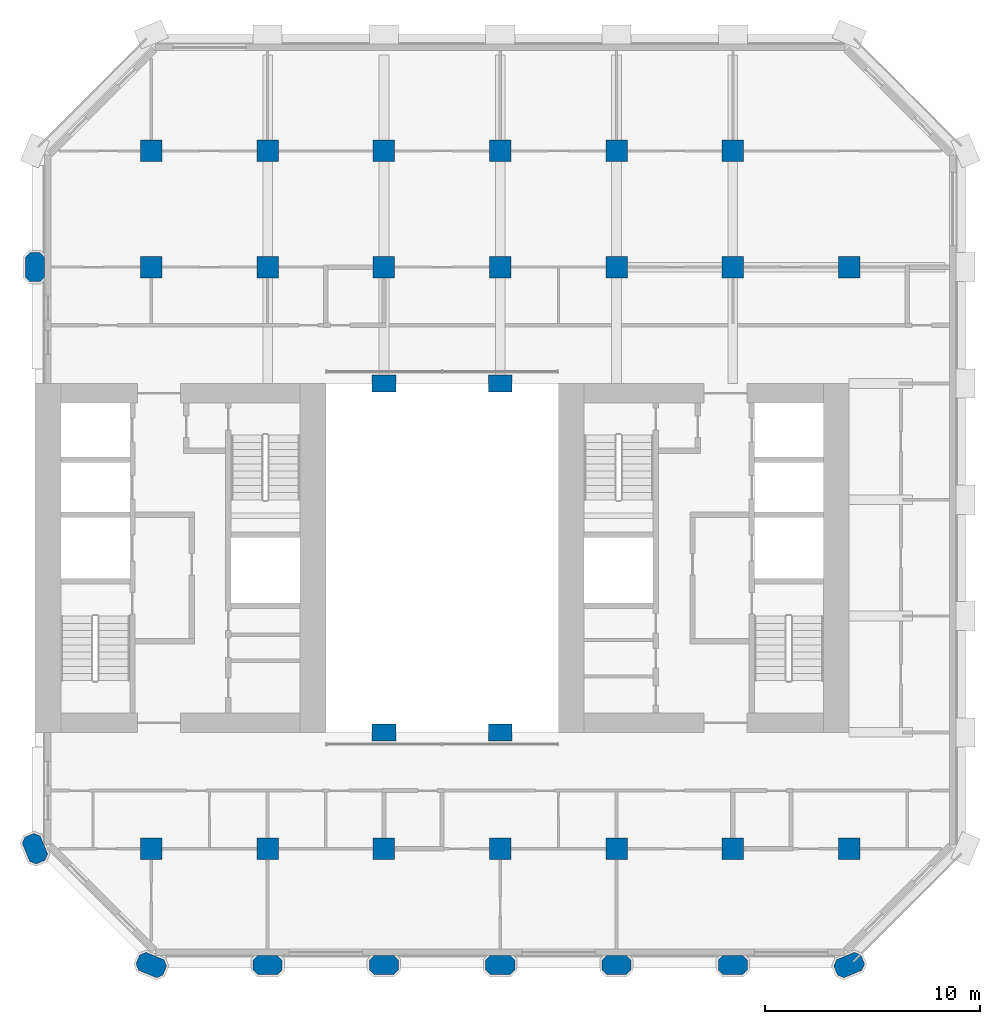
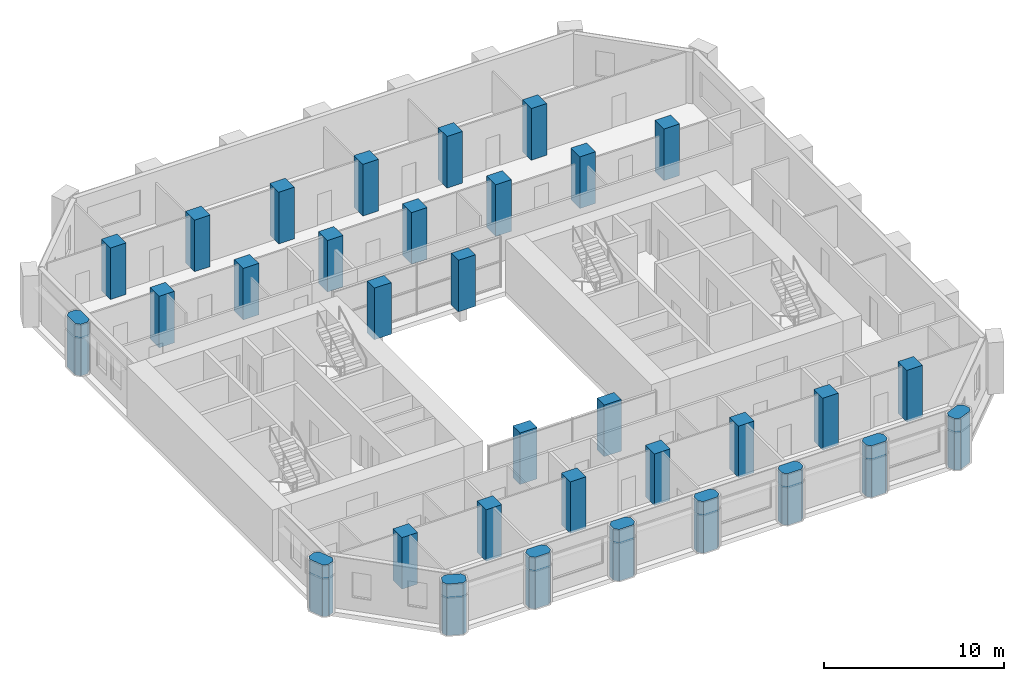
# One storey, part 1 of 10: 33 columns.
"""IFC4 building model written with IfcOpenShell, lengths in metres."""

from ifc_helpers import new_model, si_unit, direction, frame, origin, origin_2d, place, context, subcontext, project, spatial, polyline, rectangle, outline, extrude, material, material_profile, profile_set, type_object, element, save


model = new_model("IFC4")

# Units and contexts
model_context = context("Model", 3, precision=1e-05, world=origin(), true_north=direction((0.0, 1.0)))
body_context = subcontext(model_context, "Body", "Model", "MODEL_VIEW")
ifc_project = project(units=[si_unit("LENGTHUNIT", "METRE"), si_unit("AREAUNIT", "SQUARE_METRE"), si_unit("VOLUMEUNIT", "CUBIC_METRE"), si_unit("PLANEANGLEUNIT", "RADIAN"), si_unit("MASSUNIT", "GRAM", prefix="KILO")], contexts=[model_context])

# Site, building, storey
site_placement = place(None, origin())
site = spatial("IfcSite", under=ifc_project, at=site_placement, CompositionType="ELEMENT")
building_placement = place(site_placement, origin())
building = spatial("IfcBuilding", under=site, at=building_placement, Name="Tabaq Tower and Sports Hall", CompositionType="ELEMENT")
storey_placement = place(building_placement, frame((0.0, 0.0, 68.800048828125)))
storey = spatial("IfcBuildingStorey", under=building, at=storey_placement, Name="L15", CompositionType="ELEMENT", Elevation=68.800048828125)

# Columns
ifc_material_1 = material(Name="Concrete C60/75", Category="concrete")
ifc_material_profile_1 = material_profile(ifc_material_1, rectangle(XDim=1.10009765625, YDim=0.800048828125, at=origin_2d()), Name="ATRIUM COLUMN 1100x800")
ifc_profile_set_1 = profile_set([ifc_material_profile_1], Name="Concrete C60/75")
column_type_1 = type_object("IfcColumnType", Name="RC COLUMN ATRIUM COLUMN 1100x800 C60/75", PredefinedType="COLUMN", material=ifc_profile_set_1)
for number, where, z_axis, x_axis, name in (
    (1, (21.60009765625, 16.199951171875, 0.0), (0.0, 0.0, 1.0), (1.0, 0.0, 0.0), "Atrium Column 5/D L15"),
    (2, (27.0, 16.199951171875, 0.0), (0.0, 0.0, 1.0), (1.0, 0.0, 0.0), "Atrium Column 6/D L15"),
    (3, (21.60009765625, 32.39990234375, 0.0), (0.0, 0.0, 1.0), (1.0, 0.0, 0.0), "Atrium Column 5/G L15"),
    (4, (27.0, 32.39990234375, 0.0), (0.0, 0.0, 1.0), (1.0, 0.0, 0.0), "Atrium Column 6/G L15"),
):
    element("IfcColumn", number, at=place(storey_placement, frame(where, z_axis=z_axis, x_axis=x_axis)), inside=storey, type_object=column_type_1, Name=name, PredefinedType="COLUMN", context=body_context, shape_type="SweptSolid", body=[
        extrude(rectangle(XDim=1.10009765625, YDim=0.800048828125, at=origin_2d()), origin(), (0.0, 0.0, 1.0), 3.5),
    ])
ifc_material_2 = material(Name="Concrete C60/75", Category="concrete")
ifc_material_profile_2 = material_profile(ifc_material_2, rectangle(XDim=1.0, YDim=1.0, at=origin_2d()), Name="COLUMN 1000x1000")
ifc_profile_set_2 = profile_set([ifc_material_profile_2], Name="Concrete C60/75")
column_type_2 = type_object("IfcColumnType", Name="RC COLUMN COLUMN 1000x1000 C60/75", PredefinedType="COLUMN", material=ifc_profile_set_2)
for number, where, z_axis, x_axis, name in (
    (5, (10.800048828125, 10.800048828125, 0.0), (0.0, 0.0, 1.0), (1.0, 0.0, 0.0), "Column 3/C L15"),
    (6, (16.199951171875, 10.800048828125, 0.0), (0.0, 0.0, 1.0), (1.0, 0.0, 0.0), "Column 4/C L15"),
    (7, (21.60009765625, 10.800048828125, 0.0), (0.0, 0.0, 1.0), (1.0, 0.0, 0.0), "Column 5/C L15"),
    (8, (27.0, 10.800048828125, 0.0), (0.0, 0.0, 1.0), (1.0, 0.0, 0.0), "Column 6/C L15"),
    (9, (32.39990234375, 10.800048828125, 0.0), (0.0, 0.0, 1.0), (1.0, 0.0, 0.0), "Column 7/C L15"),
    (10, (37.800048828125, 10.800048828125, 0.0), (0.0, 0.0, 1.0), (1.0, 0.0, 0.0), "Column 8/C L15"),
    (11, (43.199951171875, 10.800048828125, 0.0), (0.0, 0.0, 1.0), (1.0, 0.0, 0.0), "Column 9/C L15"),
    (12, (10.800048828125, 37.800048828125, 0.0), (0.0, 0.0, 1.0), (1.0, 0.0, 0.0), "Column 3/H L15"),
    (13, (16.199951171875, 37.800048828125, 0.0), (0.0, 0.0, 1.0), (1.0, 0.0, 0.0), "Column 4/H L15"),
    (14, (21.60009765625, 37.800048828125, 0.0), (0.0, 0.0, 1.0), (1.0, 0.0, 0.0), "Column 5/H L15"),
    (15, (27.0, 37.800048828125, 0.0), (0.0, 0.0, 1.0), (1.0, 0.0, 0.0), "Column 6/H L15"),
    (16, (32.39990234375, 37.800048828125, 0.0), (0.0, 0.0, 1.0), (1.0, 0.0, 0.0), "Column 7/H L15"),
    (17, (37.800048828125, 37.800048828125, 0.0), (0.0, 0.0, 1.0), (1.0, 0.0, 0.0), "Column 8/H L15"),
    (18, (43.199951171875, 37.800048828125, 0.0), (0.0, 0.0, 1.0), (1.0, 0.0, 0.0), "Column 9/H L15"),
    (19, (10.800048828125, 43.199951171875, 0.0), (0.0, 0.0, 1.0), (1.0, 0.0, 0.0), "Column 3/I L15"),
    (20, (16.199951171875, 43.199951171875, 0.0), (0.0, 0.0, 1.0), (1.0, 0.0, 0.0), "Column 4/I L15"),
    (21, (21.60009765625, 43.199951171875, 0.0), (0.0, 0.0, 1.0), (1.0, 0.0, 0.0), "Column 5/I L15"),
    (22, (27.0, 43.199951171875, 0.0), (0.0, 0.0, 1.0), (1.0, 0.0, 0.0), "Column 6/I L15"),
    (23, (32.39990234375, 43.199951171875, 0.0), (0.0, 0.0, 1.0), (1.0, 0.0, 0.0), "Column 7/I L15"),
    (24, (37.800048828125, 43.199951171875, 0.0), (0.0, 0.0, 1.0), (1.0, 0.0, 0.0), "Column 8/I L15"),
):
    element("IfcColumn", number, at=place(storey_placement, frame(where, z_axis=z_axis, x_axis=x_axis)), inside=storey, type_object=column_type_2, Name=name, PredefinedType="COLUMN", context=body_context, shape_type="SweptSolid", body=[
        extrude(rectangle(XDim=1.0, YDim=1.0, at=origin_2d()), origin(), (0.0, 0.0, 1.0), 3.5),
    ])
ifc_material_3 = material(Name="Concrete C60/75", Category="concrete")
ifc_material_profile_3 = material_profile(ifc_material_3, outline(polyline([(-0.449951171875, -0.449951171875), (0.449951171875, -0.449951171875), (0.675048828125, -0.22509765625), (0.675048828125, 0.22509765625), (0.449951171875, 0.449951171875), (-0.449951171875, 0.449951171875), (-0.675048828125, 0.22509765625), (-0.675048828125, -0.22509765625), (-0.449951171875, -0.449951171875)])), Name="PIER 1350x900")
ifc_profile_set_3 = profile_set([ifc_material_profile_3], Name="Concrete C60/75")
column_type_3 = type_object("IfcColumnType", Name="RC COLUMN PIER 1350x900 C60/75", PredefinedType="COLUMN", material=ifc_profile_set_3)
for number, where, z_axis, x_axis, name in (
    (25, (10.800048828125, 5.39990234375, 0.0), (0.0, 0.0, 1.0), (-0.923879532511, 0.382683432365, 0.0), "Pier 3/B L15"),
    (26, (16.199951171875, 5.39990234375, 0.0), (0.0, 0.0, 1.0), (1.0, 0.0, 0.0), "Pier 4/B L15"),
    (27, (21.60009765625, 5.39990234375, 0.0), (0.0, 0.0, 1.0), (1.0, 0.0, 0.0), "Pier 5/B L15"),
    (28, (27.0, 5.39990234375, 0.0), (0.0, 0.0, 1.0), (1.0, 0.0, 0.0), "Pier 6/B L15"),
    (29, (32.39990234375, 5.39990234375, 0.0), (0.0, 0.0, 1.0), (1.0, 0.0, 0.0), "Pier 7/B L15"),
    (30, (37.800048828125, 5.39990234375, 0.0), (0.0, 0.0, 1.0), (1.0, 0.0, 0.0), "Pier 8/B L15"),
    (31, (43.199951171875, 5.39990234375, 0.0), (0.0, 0.0, 1.0), (0.923879532511, 0.382683432365, 0.0), "Pier 9/B L15"),
    (32, (5.39990234375, 10.800048828125, 0.0), (0.0, 0.0, 1.0), (-0.382683432365, 0.923879532511, 0.0), "Pier 2/C L15"),
    (33, (5.39990234375, 37.800048828125, 0.0), (0.0, 0.0, 1.0), (0.0, 1.0, 0.0), "Pier 2/H L15"),
):
    element("IfcColumn", number, at=place(storey_placement, frame(where, z_axis=z_axis, x_axis=x_axis)), inside=storey, type_object=column_type_3, Name=name, PredefinedType="COLUMN", context=body_context, shape_type="SweptSolid", body=[
        extrude(outline(polyline([(-0.449951171875, -0.449951171875), (0.449951171875, -0.449951171875), (0.675048828125, -0.22509765625), (0.675048828125, 0.22509765625), (0.449951171875, 0.449951171875), (-0.449951171875, 0.449951171875), (-0.675048828125, 0.22509765625), (-0.675048828125, -0.22509765625), (-0.449951171875, -0.449951171875)])), origin(), (0.0, 0.0, 1.0), 3.5),
    ])

save(model, "model.ifc")
